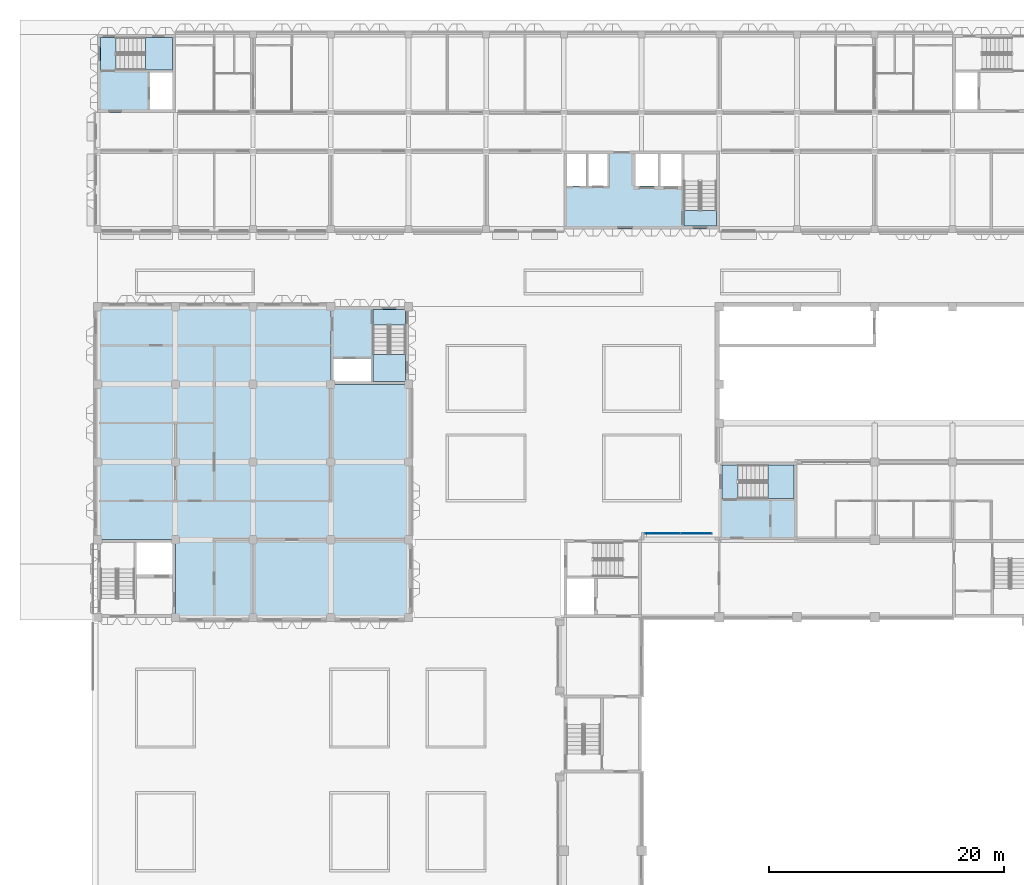
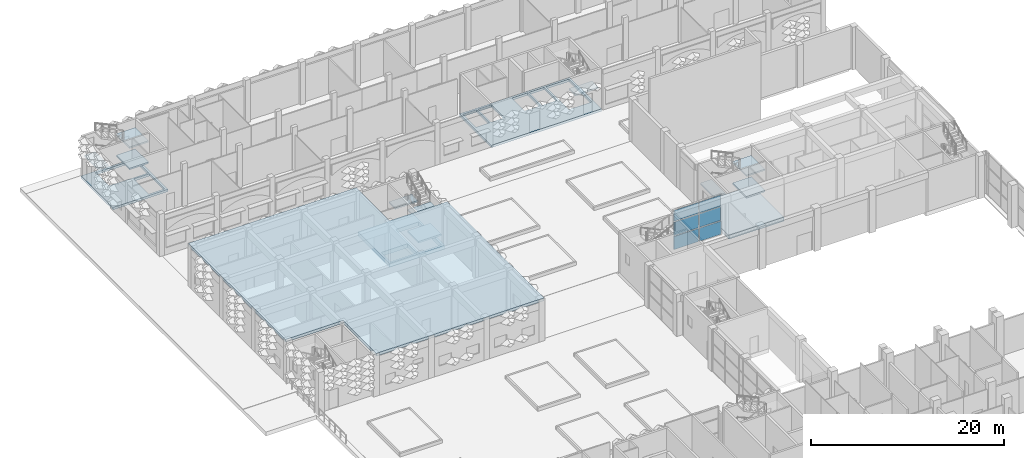
# One storey, part 24 of 85: 15 slabs, 6 plates, 5 elements without a shape of their own.
"""IFC4 building model written with IfcOpenShell, lengths in metres."""

from ifc_helpers import new_model, si_unit, direction, frame, origin, origin_2d, place, context, subcontext, project, spatial, polyline, rectangle, outline, extrude, material, layer, layer_set, type_object, element, aggregate, save


model = new_model("IFC4")

# Units and contexts
model_context = context("Model", 3, precision=1e-05, world=origin(), true_north=direction((0.0, 1.0)))
body_context = subcontext(model_context, "Body", "Model", "MODEL_VIEW")
ifc_project = project(units=[si_unit("LENGTHUNIT", "METRE"), si_unit("AREAUNIT", "SQUARE_METRE"), si_unit("VOLUMEUNIT", "CUBIC_METRE"), si_unit("PLANEANGLEUNIT", "RADIAN"), si_unit("MASSUNIT", "GRAM", prefix="KILO")], contexts=[model_context])

# Site, building, storey
site_placement = place(None, origin())
site = spatial("IfcSite", under=ifc_project, at=site_placement, CompositionType="ELEMENT")
building_placement = place(site_placement, origin())
building = spatial("IfcBuilding", under=site, at=building_placement, Name="Lantern Court Research Institute", CompositionType="ELEMENT")
storey_placement = place(building_placement, origin())
storey = spatial("IfcBuildingStorey", under=building, at=storey_placement, Name="L00", CompositionType="ELEMENT", Elevation=0.0)

# Slab
ifc_material_1 = material(Name="Concrete C35/45", Category="concrete")
ifc_layer_1 = layer(ifc_material_1, 0.35009765625)
ifc_layer_set_1 = layer_set([ifc_layer_1], Name="Concrete C35/45")
slab_type_1 = type_object("IfcSlabType", Name="Clean room floor slab 350", PredefinedType="FLOOR", material=ifc_layer_set_1)
slab_1_placement = place(storey_placement, frame((0.0, 0.0, 5.050048828125)))
element("IfcSlab", 1, at=slab_1_placement, inside=storey, type_object=slab_type_1, Name="Clean room floor slab L01", PredefinedType="FLOOR", context=body_context, shape_type="SweptSolid", body=[
    extrude(outline(polyline([(19.800048828125, 76.199951171875), (19.800048828125, 69.300048828125), (26.699951171875, 69.300048828125), (26.699951171875, 49.199951171875), (6.60009765625, 49.199951171875), (6.60009765625, 56.10009765625), (-0.300048828125, 56.10009765625), (-0.300048828125, 76.199951171875), (19.800048828125, 76.199951171875)])), origin(), (0.0, 0.0, 1.0), 0.349853515625),
])

# Curtain wall, plates
ifc_material_2 = material(Name="Aluminium alloy 6063-T6", Category="aluminium")
curtain_wall_type = type_object("IfcCurtainWallType", Name="Curtain wall 5800 x 5150 x 150 aluminium frame", PredefinedType="NOTDEFINED", material=ifc_material_2)
curtain_wall_placement = place(storey_placement, origin())
curtain_wall = element("IfcCurtainWall", 2, at=curtain_wall_placement, inside=storey, type_object=curtain_wall_type, Name="Curtain wall CW003", PredefinedType="NOTDEFINED")
ifc_material_3 = material(Name="Fire-resisting insulated aluminium spandrel panel", Category="aluminium")
ifc_layer_2 = layer(ifc_material_3, 0.1201171875)
ifc_layer_set_2 = layer_set([ifc_layer_2], Name="Fire-resisting insulated aluminium spandrel panel")
plate_type_1 = type_object("IfcPlateType", Name="Fire-resisting spandrel panel 120 mm", PredefinedType="CURTAIN_PANEL", material=ifc_layer_set_2)
plate_1_placement = place(storey_placement, frame((47.97509765625, 56.625, 0.10009765625), z_axis=(0.0, 0.0, 1.0), x_axis=(1.0, 0.0, 0.0)))
plate_1 = element("IfcPlate", 3, at=plate_1_placement, type_object=plate_type_1, Name="CW003 spandrel panel 1.1", PredefinedType="CURTAIN_PANEL", context=body_context, shape_type="SweptSolid", body=[
    extrude(rectangle(XDim=2.949951171875, YDim=0.1201171875, at=origin_2d()), origin(), (0.0, 0.0, 1.0), 1.64990234375),
])
plate_2_placement = place(storey_placement, frame((50.824951171875, 56.625, 0.10009765625), z_axis=(0.0, 0.0, 1.0), x_axis=(1.0, 0.0, 0.0)))
plate_2 = element("IfcPlate", 4, at=plate_2_placement, type_object=plate_type_1, Name="CW003 spandrel panel 2.1", PredefinedType="CURTAIN_PANEL", context=body_context, shape_type="SweptSolid", body=[
    extrude(rectangle(XDim=2.550048828125, YDim=0.1201171875, at=origin_2d()), origin(), (0.0, 0.0, 1.0), 1.64990234375),
])
ifc_material_4 = material(Name="Laminated low-emissivity glass", Category="glass")
ifc_layer_3 = layer(ifc_material_4, 0.028076171875)
ifc_layer_set_3 = layer_set([ifc_layer_3], Name="Laminated low-emissivity glass")
plate_type_2 = type_object("IfcPlateType", Name="Laminated low-emissivity unit 28 mm", PredefinedType="CURTAIN_PANEL", material=ifc_layer_set_3)
plate_3_placement = place(storey_placement, frame((47.97509765625, 56.625, 1.85009765625), z_axis=(0.0, 0.0, 1.0), x_axis=(1.0, 0.0, 0.0)))
plate_3 = element("IfcPlate", 5, at=plate_3_placement, type_object=plate_type_2, Name="CW003 glazed panel 1.2", PredefinedType="CURTAIN_PANEL", context=body_context, shape_type="SweptSolid", body=[
    extrude(rectangle(XDim=2.949951171875, YDim=0.028076171875, at=origin_2d()), origin(), (0.0, 0.0, 1.0), 1.699951171875),
])
plate_4_placement = place(storey_placement, frame((47.97509765625, 56.625, 3.650146484375), z_axis=(0.0, 0.0, 1.0), x_axis=(1.0, 0.0, 0.0)))
plate_4 = element("IfcPlate", 6, at=plate_4_placement, type_object=plate_type_2, Name="CW003 glazed panel 1.3", PredefinedType="CURTAIN_PANEL", context=body_context, shape_type="SweptSolid", body=[
    extrude(rectangle(XDim=2.949951171875, YDim=0.028076171875, at=origin_2d()), origin(), (0.0, 0.0, 1.0), 1.39990234375),
])
plate_5_placement = place(storey_placement, frame((50.824951171875, 56.625, 1.85009765625), z_axis=(0.0, 0.0, 1.0), x_axis=(1.0, 0.0, 0.0)))
plate_5 = element("IfcPlate", 7, at=plate_5_placement, type_object=plate_type_2, Name="CW003 glazed panel 2.2", PredefinedType="CURTAIN_PANEL", context=body_context, shape_type="SweptSolid", body=[
    extrude(rectangle(XDim=2.550048828125, YDim=0.028076171875, at=origin_2d()), origin(), (0.0, 0.0, 1.0), 1.699951171875),
])
plate_6_placement = place(storey_placement, frame((50.824951171875, 56.625, 3.650146484375), z_axis=(0.0, 0.0, 1.0), x_axis=(1.0, 0.0, 0.0)))
plate_6 = element("IfcPlate", 8, at=plate_6_placement, type_object=plate_type_2, Name="CW003 glazed panel 2.3", PredefinedType="CURTAIN_PANEL", context=body_context, shape_type="SweptSolid", body=[
    extrude(rectangle(XDim=2.550048828125, YDim=0.028076171875, at=origin_2d()), origin(), (0.0, 0.0, 1.0), 1.39990234375),
])
aggregate(curtain_wall, [plate_1, plate_3, plate_4, plate_2, plate_5, plate_6])

# Slabs
ifc_material_5 = material(Name="Concrete C35/45", Category="concrete")
ifc_layer_4 = layer(ifc_material_5, 0.300048828125)
ifc_layer_set_4 = layer_set([ifc_layer_4], Name="Concrete C35/45")
slab_type_2 = type_object("IfcSlabType", Name="RC core floor slab 300", PredefinedType="FLOOR", material=ifc_layer_set_4)
slab_2_placement = place(storey_placement, frame((0.0, 0.0, -0.300048828125)))
element("IfcSlab", 9, at=slab_2_placement, inside=storey, type_object=slab_type_2, Name="Floor of core WC-W", PredefinedType="FLOOR", context=body_context, shape_type="SweptSolid", body=[
    extrude(outline(polyline([(0.0, 92.39990234375), (6.60009765625, 92.39990234375), (6.60009765625, 99.0), (0.0, 99.0), (0.0, 92.39990234375)]), holes=[polyline([(1.60009765625, 96.0), (6.35009765625, 96.0), (6.35009765625, 98.75), (1.60009765625, 98.75), (1.60009765625, 96.0)]), polyline([(4.449951171875, 92.64990234375), (4.449951171875, 95.800048828125), (6.35009765625, 95.800048828125), (6.35009765625, 92.64990234375), (4.449951171875, 92.64990234375)])]), origin(), (0.0, 0.0, 1.0), 0.300048828125),
])
slab_3_placement = place(storey_placement, frame((0.0, 0.0, -0.300048828125)))
element("IfcSlab", 10, at=slab_3_placement, inside=storey, type_object=slab_type_2, Name="Floor of core WC-M", PredefinedType="FLOOR", context=body_context, shape_type="SweptSolid", body=[
    extrude(outline(polyline([(39.60009765625, 82.5), (52.800048828125, 82.5), (52.800048828125, 89.10009765625), (39.60009765625, 89.10009765625), (39.60009765625, 82.5)]), holes=[polyline([(52.550048828125, 84.10009765625), (52.550048828125, 88.85009765625), (49.800048828125, 88.85009765625), (49.800048828125, 84.10009765625), (52.550048828125, 84.10009765625)]), polyline([(47.800048828125, 86.14990234375), (49.60009765625, 86.14990234375), (49.60009765625, 88.85009765625), (47.800048828125, 88.85009765625), (47.800048828125, 86.14990234375)]), polyline([(45.699951171875, 86.14990234375), (47.60009765625, 86.14990234375), (47.60009765625, 88.85009765625), (45.699951171875, 88.85009765625), (45.699951171875, 86.14990234375)]), polyline([(43.300048828125, 88.85009765625), (43.300048828125, 86.14990234375), (41.675048828125, 86.14990234375), (41.675048828125, 88.85009765625), (43.300048828125, 88.85009765625)]), polyline([(41.47509765625, 88.85009765625), (41.47509765625, 86.14990234375), (39.85009765625, 86.14990234375), (39.85009765625, 88.85009765625), (41.47509765625, 88.85009765625)])]), origin(), (0.0, 0.0, 1.0), 0.300048828125),
])
ifc_material_6 = material(Name="Concrete C35/45", Category="concrete")
ifc_layer_5 = layer(ifc_material_6, 0.5)
ifc_layer_set_5 = layer_set([ifc_layer_5], Name="Concrete C35/45")
slab_type_3 = type_object("IfcSlabType", Name="RC core floor slab 500", PredefinedType="FLOOR", material=ifc_layer_set_5)
slab_4_placement = place(storey_placement, frame((0.0, 0.0, -0.5)))
element("IfcSlab", 11, at=slab_4_placement, inside=storey, type_object=slab_type_3, Name="Floor of core CC-B", PredefinedType="FLOOR", context=body_context, shape_type="SweptSolid", body=[
    extrude(outline(polyline([(19.800048828125, 69.300048828125), (26.39990234375, 69.300048828125), (26.39990234375, 75.89990234375), (19.800048828125, 75.89990234375), (19.800048828125, 69.300048828125)]), holes=[polyline([(23.39990234375, 74.300048828125), (23.39990234375, 69.550048828125), (26.14990234375, 69.550048828125), (26.14990234375, 74.300048828125), (23.39990234375, 74.300048828125)]), polyline([(20.050048828125, 71.449951171875), (23.199951171875, 71.449951171875), (23.199951171875, 69.550048828125), (20.050048828125, 69.550048828125), (20.050048828125, 71.449951171875)])]), origin(), (0.0, 0.0, 1.0), 0.5),
])
slab_5_placement = place(storey_placement, frame((0.0, 0.0, -0.5)))
element("IfcSlab", 12, at=slab_5_placement, inside=storey, type_object=slab_type_3, Name="Floor of core TH-A", PredefinedType="FLOOR", context=body_context, shape_type="SweptSolid", body=[
    extrude(outline(polyline([(52.800048828125, 56.10009765625), (59.39990234375, 56.10009765625), (59.39990234375, 62.699951171875), (52.800048828125, 62.699951171875), (52.800048828125, 56.10009765625)])), origin(), (0.0, 0.0, 1.0), 0.5),
])

# Stair, slabs
ifc_material_7 = material(Name="Concrete C40/50", Category="concrete")
stair_type_1 = type_object("IfcStairType", Name="RC half-turn stair 1300 wide, 5400 rise, 6100 shaft", PredefinedType="HALF_TURN_STAIR", material=ifc_material_7)
stair_1_placement = place(storey_placement, origin())
stair_1 = element("IfcStair", 13, at=stair_1_placement, inside=storey, type_object=stair_type_1, Name="L00 stair ST-W1", PredefinedType="HALF_TURN_STAIR")
ifc_material_8 = material(Name="Concrete C40/50", Category="concrete")
ifc_layer_6 = layer(ifc_material_8, 0.199951171875)
ifc_layer_set_6 = layer_set([ifc_layer_6], Name="Concrete C40/50")
slab_type_4 = type_object("IfcSlabType", Name="RC stair landing 200", PredefinedType="LANDING", material=ifc_layer_set_6)
slab_6_placement = place(storey_placement, frame((0.0, 0.0, 1.14990234375)))
slab_6 = element("IfcSlab", 14, at=slab_6_placement, type_object=slab_type_4, Name="ST-W1 landing 1", PredefinedType="LANDING", context=body_context, shape_type="SweptSolid", body=[
    extrude(outline(polyline([(4.070068359375, 96.0), (6.35009765625, 96.0), (6.35009765625, 98.75), (4.070068359375, 98.75), (4.070068359375, 96.0)])), origin(), (0.0, 0.0, 1.0), 0.2001953125),
])
slab_7_placement = place(storey_placement, frame((0.0, 0.0, 2.5)))
slab_7 = element("IfcSlab", 15, at=slab_7_placement, type_object=slab_type_4, Name="ST-W1 landing 2", PredefinedType="LANDING", context=body_context, shape_type="SweptSolid", body=[
    extrude(outline(polyline([(0.25, 96.0), (1.550048828125, 96.0), (1.550048828125, 98.75), (0.25, 98.75), (0.25, 96.0)])), origin(), (0.0, 0.0, 1.0), 0.199951171875),
])
slab_8_placement = place(storey_placement, frame((0.0, 0.0, 3.85009765625)))
slab_8 = element("IfcSlab", 16, at=slab_8_placement, type_object=slab_type_4, Name="ST-W1 landing 3", PredefinedType="LANDING", context=body_context, shape_type="SweptSolid", body=[
    extrude(outline(polyline([(4.070068359375, 96.0), (6.35009765625, 96.0), (6.35009765625, 98.75), (4.070068359375, 98.75), (4.070068359375, 96.0)])), origin(), (0.0, 0.0, 1.0), 0.199951171875),
])
aggregate(stair_1, [slab_6, slab_7, slab_8])

# Stair, slab
stair_2_placement = place(storey_placement, origin())
stair_2 = element("IfcStair", 17, at=stair_2_placement, inside=storey, type_object=stair_type_1, Name="L00 stair ST-W2", PredefinedType="HALF_TURN_STAIR")
slab_9_placement = place(storey_placement, frame((0.0, 0.0, 2.5)))
slab_9 = element("IfcSlab", 18, at=slab_9_placement, type_object=slab_type_4, Name="ST-W2 landing 2", PredefinedType="LANDING", context=body_context, shape_type="SweptSolid", body=[
    extrude(outline(polyline([(52.550048828125, 82.75), (52.550048828125, 84.050048828125), (49.800048828125, 84.050048828125), (49.800048828125, 82.75), (52.550048828125, 82.75)])), origin(), (0.0, 0.0, 1.0), 0.199951171875),
])
aggregate(stair_2, [slab_9])

# Stair, slabs
stair_3_placement = place(storey_placement, origin())
stair_3 = element("IfcStair", 19, at=stair_3_placement, inside=storey, type_object=stair_type_1, Name="L00 stair ST-C2", PredefinedType="HALF_TURN_STAIR")
slab_10_placement = place(storey_placement, frame((0.0, 0.0, 1.14990234375)))
slab_10 = element("IfcSlab", 20, at=slab_10_placement, type_object=slab_type_4, Name="ST-C2 landing 1", PredefinedType="LANDING", context=body_context, shape_type="SweptSolid", body=[
    extrude(outline(polyline([(23.39990234375, 71.830078125), (23.39990234375, 69.550048828125), (26.14990234375, 69.550048828125), (26.14990234375, 71.830078125), (23.39990234375, 71.830078125)])), origin(), (0.0, 0.0, 1.0), 0.2001953125),
])
slab_11_placement = place(storey_placement, frame((0.0, 0.0, 2.5)))
slab_11 = element("IfcSlab", 21, at=slab_11_placement, type_object=slab_type_4, Name="ST-C2 landing 2", PredefinedType="LANDING", context=body_context, shape_type="SweptSolid", body=[
    extrude(outline(polyline([(23.39990234375, 75.64990234375), (23.39990234375, 74.35009765625), (26.14990234375, 74.35009765625), (26.14990234375, 75.64990234375), (23.39990234375, 75.64990234375)])), origin(), (0.0, 0.0, 1.0), 0.199951171875),
])
slab_12_placement = place(storey_placement, frame((0.0, 0.0, 3.85009765625)))
slab_12 = element("IfcSlab", 22, at=slab_12_placement, type_object=slab_type_4, Name="ST-C2 landing 3", PredefinedType="LANDING", context=body_context, shape_type="SweptSolid", body=[
    extrude(outline(polyline([(23.39990234375, 71.830078125), (23.39990234375, 69.550048828125), (26.14990234375, 69.550048828125), (26.14990234375, 71.830078125), (23.39990234375, 71.830078125)])), origin(), (0.0, 0.0, 1.0), 0.199951171875),
])
aggregate(stair_3, [slab_10, slab_11, slab_12])

ifc_material_9 = material(Name="Concrete C40/50", Category="concrete")
stair_type_2 = type_object("IfcStairType", Name="RC half-turn stair 1350 wide, 5400 rise, 6100 shaft", PredefinedType="HALF_TURN_STAIR", material=ifc_material_9)
stair_4_placement = place(storey_placement, origin())
stair_4 = element("IfcStair", 23, at=stair_4_placement, inside=storey, type_object=stair_type_2, Name="L00 stair ST-L1", PredefinedType="HALF_TURN_STAIR")
slab_13_placement = place(storey_placement, frame((0.0, 0.0, 1.14990234375)))
slab_13 = element("IfcSlab", 24, at=slab_13_placement, type_object=slab_type_4, Name="ST-L1 landing 1", PredefinedType="LANDING", context=body_context, shape_type="SweptSolid", body=[
    extrude(outline(polyline([(56.919921875, 59.60009765625), (59.14990234375, 59.60009765625), (59.14990234375, 62.449951171875), (56.919921875, 62.449951171875), (56.919921875, 59.60009765625)])), origin(), (0.0, 0.0, 1.0), 0.2001953125),
])
slab_14_placement = place(storey_placement, frame((0.0, 0.0, 2.5)))
slab_14 = element("IfcSlab", 25, at=slab_14_placement, type_object=slab_type_4, Name="ST-L1 landing 2", PredefinedType="LANDING", context=body_context, shape_type="SweptSolid", body=[
    extrude(outline(polyline([(53.050048828125, 59.60009765625), (54.39990234375, 59.60009765625), (54.39990234375, 62.449951171875), (53.050048828125, 62.449951171875), (53.050048828125, 59.60009765625)])), origin(), (0.0, 0.0, 1.0), 0.199951171875),
])
slab_15_placement = place(storey_placement, frame((0.0, 0.0, 3.85009765625)))
slab_15 = element("IfcSlab", 26, at=slab_15_placement, type_object=slab_type_4, Name="ST-L1 landing 3", PredefinedType="LANDING", context=body_context, shape_type="SweptSolid", body=[
    extrude(outline(polyline([(56.919921875, 59.60009765625), (59.14990234375, 59.60009765625), (59.14990234375, 62.449951171875), (56.919921875, 62.449951171875), (56.919921875, 59.60009765625)])), origin(), (0.0, 0.0, 1.0), 0.199951171875),
])
aggregate(stair_4, [slab_13, slab_14, slab_15])

save(model, "model.ifc")
